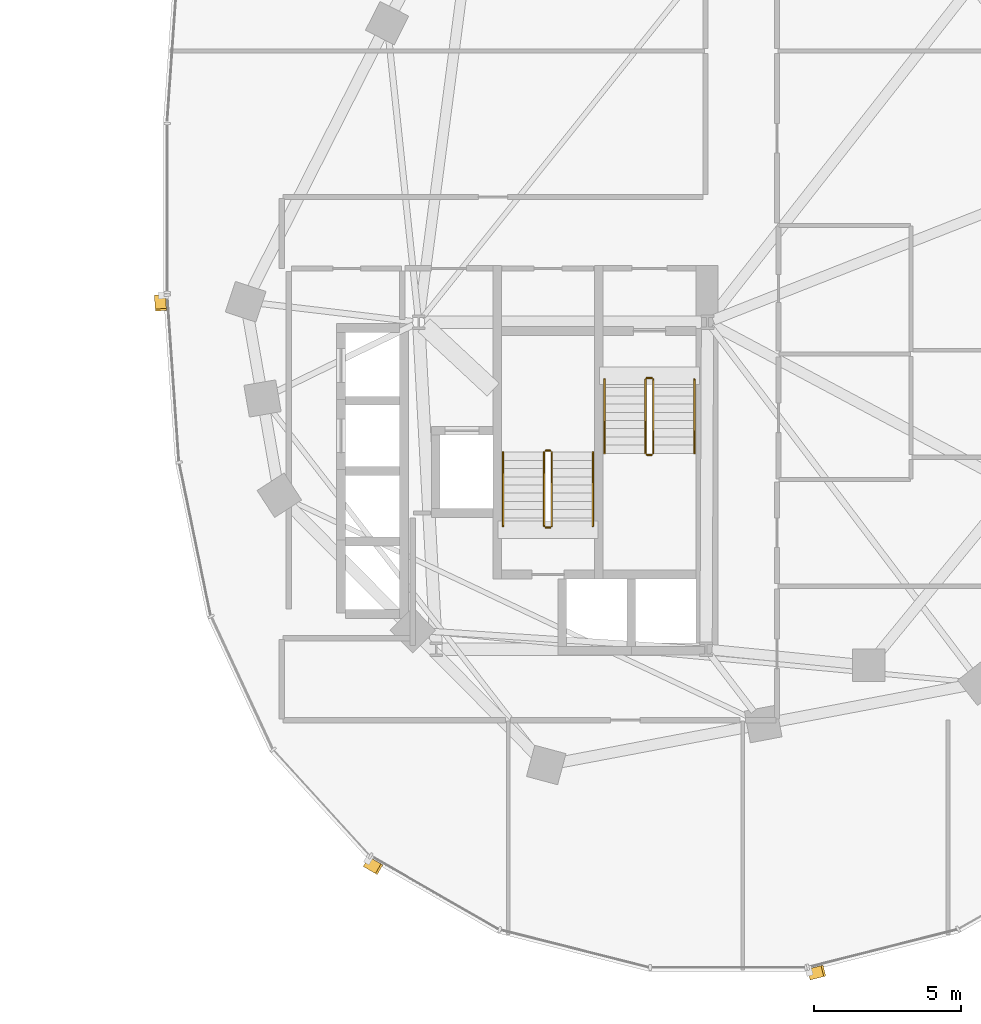
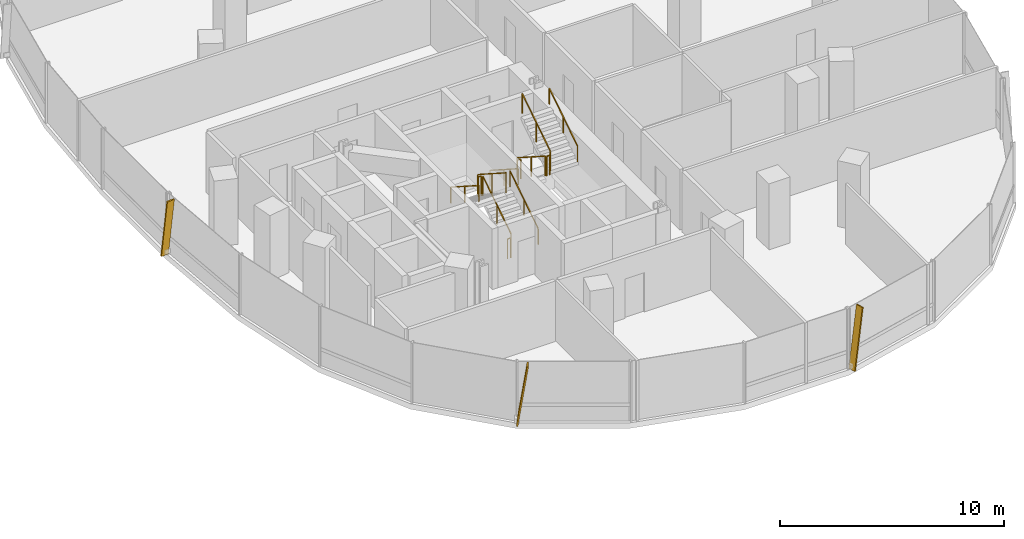
# One storey, part 20 of 21: 12 railings, 3 shading devices.
"""IFC4 building model written with IfcOpenShell, lengths in metres."""

from ifc_helpers import new_model, si_unit, direction, frame, origin, origin_2d, place, context, subcontext, project, spatial, rectangle, extrude, material, material_profile, profile_set, type_object, element, save


model = new_model("IFC4")

# Units and contexts
model_context = context("Model", 3, precision=1e-05, world=origin(), true_north=direction((0.0, 1.0)))
body_context = subcontext(model_context, "Body", "Model", "MODEL_VIEW")
ifc_project = project(units=[si_unit("LENGTHUNIT", "METRE"), si_unit("AREAUNIT", "SQUARE_METRE"), si_unit("VOLUMEUNIT", "CUBIC_METRE"), si_unit("PLANEANGLEUNIT", "RADIAN"), si_unit("MASSUNIT", "GRAM", prefix="KILO"), si_unit("THERMODYNAMICTEMPERATUREUNIT", "KELVIN"), si_unit("POWERUNIT", "WATT")], contexts=[model_context])

# Site, building, storey
site_placement = place(None, origin())
site = spatial("IfcSite", under=ifc_project, at=site_placement, CompositionType="ELEMENT")
building_placement = place(site_placement, origin())
building = spatial("IfcBuilding", under=site, at=building_placement, Name="Cundina Bronze Exchange", CompositionType="ELEMENT")
storey_placement = place(building_placement, frame((0.0, 0.0, 117.800048828125)))
storey = spatial("IfcBuildingStorey", under=building, at=storey_placement, Name="L30", CompositionType="ELEMENT", Elevation=117.800048828125)

# Railings
ifc_material_1 = material(Name="Steel ASTM A36 Painted", Category="steel")
railing_type_1 = type_object("IfcRailingType", Name="RLG-HND-900", PredefinedType="HANDRAIL", material=ifc_material_1)
railing_1_placement = place(storey_placement, frame((27.7900390625, -5.85009765625, 0.179931640625)))
element("IfcRailing", 1, at=railing_1_placement, inside=storey, type_object=railing_type_1, Name="L30 ST-E1 stair handrail 1", PredefinedType="HANDRAIL", context=body_context, shape_type="SweptSolid", body=[
    extrude(rectangle(XDim=0.048095703125, YDim=0.048095703125, at=origin_2d()), frame((0.0, 0.0, 0.8759765625), z_axis=(0.0, -0.841162588446, 0.540782303519), x_axis=(1.0, 0.0, 0.0)), (0.0, 0.0, 1.0), 2.995849609375),
    extrude(rectangle(XDim=0.0419921875, YDim=0.0419921875, at=origin_2d()), origin(), (0.0, 0.0, 1.0), 0.851806640625),
    extrude(rectangle(XDim=0.0419921875, YDim=0.0419921875, at=origin_2d()), frame((0.0, -1.260009765625, 0.81005859375)), (0.0, 0.0, 1.0), 0.851806640625),
    extrude(rectangle(XDim=0.0419921875, YDim=0.0419921875, at=origin_2d()), frame((0.0, -2.52001953125, 1.6201171875)), (0.0, 0.0, 1.0), 0.851806640625),
])
railing_2_placement = place(storey_placement, frame((30.85009765625, -8.3701171875, 1.97998046875)))
element("IfcRailing", 2, at=railing_2_placement, inside=storey, type_object=railing_type_1, Name="L30 ST-E1 stair handrail 2", PredefinedType="HANDRAIL", context=body_context, shape_type="SweptSolid", body=[
    extrude(rectangle(XDim=0.048095703125, YDim=0.048095703125, at=origin_2d()), frame((0.0, 0.0, 0.8759765625), z_axis=(0.0, 0.841199657755, 0.540724639528), x_axis=(-1.0, 0.0, 0.0)), (0.0, 0.0, 1.0), 2.995849609375),
    extrude(rectangle(XDim=0.0419921875, YDim=0.0419921875, at=origin_2d()), origin(), (0.0, 0.0, 1.0), 0.851806640625),
    extrude(rectangle(XDim=0.0419921875, YDim=0.0419921875, at=origin_2d()), frame((0.0, 1.260009765625, 0.81005859375)), (0.0, 0.0, 1.0), 0.851806640625),
    extrude(rectangle(XDim=0.0419921875, YDim=0.0419921875, at=origin_2d()), frame((0.0, 2.52001953125, 1.619873046875)), (0.0, 0.0, 1.0), 0.851806640625),
])
railing_3_placement = place(storey_placement, frame((27.389892578125, -10.85009765625, 0.179931640625)))
element("IfcRailing", 3, at=railing_3_placement, inside=storey, type_object=railing_type_1, Name="L30 ST-E2 stair handrail 1", PredefinedType="HANDRAIL", context=body_context, shape_type="SweptSolid", body=[
    extrude(rectangle(XDim=0.048095703125, YDim=0.048095703125, at=origin_2d()), frame((0.0, 0.0, 0.8759765625), z_axis=(0.0, 0.841162588446, 0.540782303519), x_axis=(-1.0, 0.0, 0.0)), (0.0, 0.0, 1.0), 2.995849609375),
    extrude(rectangle(XDim=0.0419921875, YDim=0.0419921875, at=origin_2d()), origin(), (0.0, 0.0, 1.0), 0.851806640625),
    extrude(rectangle(XDim=0.0419921875, YDim=0.0419921875, at=origin_2d()), frame((0.0, 1.260009765625, 0.81005859375)), (0.0, 0.0, 1.0), 0.851806640625),
    extrude(rectangle(XDim=0.0419921875, YDim=0.0419921875, at=origin_2d()), frame((0.0, 2.52001953125, 1.6201171875)), (0.0, 0.0, 1.0), 0.851806640625),
])
railing_4_placement = place(storey_placement, frame((24.330078125, -8.330078125, 1.97998046875)))
element("IfcRailing", 4, at=railing_4_placement, inside=storey, type_object=railing_type_1, Name="L30 ST-E2 stair handrail 2", PredefinedType="HANDRAIL", context=body_context, shape_type="SweptSolid", body=[
    extrude(rectangle(XDim=0.048095703125, YDim=0.048095703125, at=origin_2d()), frame((0.0, 0.0, 0.8759765625), z_axis=(0.0, -0.841199657755, 0.540724639528), x_axis=(1.0, 0.0, 0.0)), (0.0, 0.0, 1.0), 2.995849609375),
    extrude(rectangle(XDim=0.0419921875, YDim=0.0419921875, at=origin_2d()), origin(), (0.0, 0.0, 1.0), 0.851806640625),
    extrude(rectangle(XDim=0.0419921875, YDim=0.0419921875, at=origin_2d()), frame((0.0, -1.260009765625, 0.81005859375)), (0.0, 0.0, 1.0), 0.851806640625),
    extrude(rectangle(XDim=0.0419921875, YDim=0.0419921875, at=origin_2d()), frame((0.0, -2.52001953125, 1.619873046875)), (0.0, 0.0, 1.0), 0.851806640625),
])
railing_type_2 = type_object("IfcRailingType", Name="RLG-STG-1100", PredefinedType="GUARDRAIL", material=ifc_material_1)
railing_5_placement = place(storey_placement, frame((29.18994140625, -5.85009765625, 0.179931640625)))
element("IfcRailing", 5, at=railing_5_placement, inside=storey, type_object=railing_type_2, Name="L30 ST-E1 stair guard 1", PredefinedType="GUARDRAIL", context=body_context, shape_type="SweptSolid", body=[
    extrude(rectangle(XDim=0.048095703125, YDim=0.048095703125, at=origin_2d()), frame((0.0, 0.0, 1.076171875), z_axis=(0.0, -0.841162588446, 0.540782303519), x_axis=(1.0, 0.0, 0.0)), (0.0, 0.0, 1.0), 2.995849609375),
    extrude(rectangle(XDim=0.0419921875, YDim=0.0419921875, at=origin_2d()), origin(), (0.0, 0.0, 1.0), 1.052001953125),
    extrude(rectangle(XDim=0.0419921875, YDim=0.0419921875, at=origin_2d()), frame((0.0, -1.260009765625, 0.81005859375)), (0.0, 0.0, 1.0), 1.052001953125),
    extrude(rectangle(XDim=0.0419921875, YDim=0.0419921875, at=origin_2d()), frame((0.0, -2.52001953125, 1.6201171875)), (0.0, 0.0, 1.0), 1.052001953125),
])
railing_6_placement = place(storey_placement, frame((29.239990234375, -8.419921875, 1.800048828125)))
element("IfcRailing", 6, at=railing_6_placement, inside=storey, type_object=railing_type_2, Name="L30 ST-E1 stair guard 2", PredefinedType="GUARDRAIL", context=body_context, shape_type="SweptSolid", body=[
    extrude(rectangle(XDim=0.048095703125, YDim=0.048095703125, at=origin_2d()), frame((0.0, 0.0, 1.076171875), z_axis=(1.0, 0.0, 0.0), x_axis=(0.0, 1.0, 0.0)), (0.0, 0.0, 1.0), 0.159912109375),
    extrude(rectangle(XDim=0.0419921875, YDim=0.0419921875, at=origin_2d()), origin(), (0.0, 0.0, 1.0), 1.052001953125),
    extrude(rectangle(XDim=0.0419921875, YDim=0.0419921875, at=origin_2d()), frame((0.159912109375, 0.0, 0.0)), (0.0, 0.0, 1.0), 1.052001953125),
])
railing_7_placement = place(storey_placement, frame((29.449951171875, -8.3701171875, 1.97998046875)))
element("IfcRailing", 7, at=railing_7_placement, inside=storey, type_object=railing_type_2, Name="L30 ST-E1 stair guard 3", PredefinedType="GUARDRAIL", context=body_context, shape_type="SweptSolid", body=[
    extrude(rectangle(XDim=0.048095703125, YDim=0.048095703125, at=origin_2d()), frame((0.0, 0.0, 1.076171875), z_axis=(0.0, 0.841199657755, 0.540724639528), x_axis=(-1.0, 0.0, 0.0)), (0.0, 0.0, 1.0), 2.995849609375),
    extrude(rectangle(XDim=0.0419921875, YDim=0.0419921875, at=origin_2d()), origin(), (0.0, 0.0, 1.0), 1.052001953125),
    extrude(rectangle(XDim=0.0419921875, YDim=0.0419921875, at=origin_2d()), frame((0.0, 1.260009765625, 0.81005859375)), (0.0, 0.0, 1.0), 1.052001953125),
    extrude(rectangle(XDim=0.0419921875, YDim=0.0419921875, at=origin_2d()), frame((0.0, 2.52001953125, 1.619873046875)), (0.0, 0.0, 1.0), 1.052001953125),
])
railing_8_placement = place(storey_placement, frame((29.239990234375, -5.800048828125, 0.0)))
element("IfcRailing", 8, at=railing_8_placement, inside=storey, type_object=railing_type_2, Name="L30 ST-E1 stair guard 4", PredefinedType="GUARDRAIL", context=body_context, shape_type="SweptSolid", body=[
    extrude(rectangle(XDim=0.048095703125, YDim=0.048095703125, at=origin_2d()), frame((0.0, 0.0, 1.076171875), z_axis=(1.0, 0.0, 0.0), x_axis=(0.0, 1.0, 0.0)), (0.0, 0.0, 1.0), 0.159912109375),
    extrude(rectangle(XDim=0.0419921875, YDim=0.0419921875, at=origin_2d()), origin(), (0.0, 0.0, 1.0), 1.052001953125),
    extrude(rectangle(XDim=0.0419921875, YDim=0.0419921875, at=origin_2d()), frame((0.159912109375, 0.0, 0.0)), (0.0, 0.0, 1.0), 1.052001953125),
])
railing_9_placement = place(storey_placement, frame((25.989990234375, -10.85009765625, 0.179931640625)))
element("IfcRailing", 9, at=railing_9_placement, inside=storey, type_object=railing_type_2, Name="L30 ST-E2 stair guard 1", PredefinedType="GUARDRAIL", context=body_context, shape_type="SweptSolid", body=[
    extrude(rectangle(XDim=0.048095703125, YDim=0.048095703125, at=origin_2d()), frame((0.0, 0.0, 1.076171875), z_axis=(0.0, 0.841162588446, 0.540782303519), x_axis=(-1.0, 0.0, 0.0)), (0.0, 0.0, 1.0), 2.995849609375),
    extrude(rectangle(XDim=0.0419921875, YDim=0.0419921875, at=origin_2d()), origin(), (0.0, 0.0, 1.0), 1.052001953125),
    extrude(rectangle(XDim=0.0419921875, YDim=0.0419921875, at=origin_2d()), frame((0.0, 1.260009765625, 0.81005859375)), (0.0, 0.0, 1.0), 1.052001953125),
    extrude(rectangle(XDim=0.0419921875, YDim=0.0419921875, at=origin_2d()), frame((0.0, 2.52001953125, 1.6201171875)), (0.0, 0.0, 1.0), 1.052001953125),
])
railing_10_placement = place(storey_placement, frame((25.93994140625, -8.280029296875, 1.800048828125)))
element("IfcRailing", 10, at=railing_10_placement, inside=storey, type_object=railing_type_2, Name="L30 ST-E2 stair guard 2", PredefinedType="GUARDRAIL", context=body_context, shape_type="SweptSolid", body=[
    extrude(rectangle(XDim=0.048095703125, YDim=0.048095703125, at=origin_2d()), frame((0.0, 0.0, 1.076171875), z_axis=(-1.0, 0.0, 0.0), x_axis=(0.0, -1.0, 0.0)), (0.0, 0.0, 1.0), 0.159912109375),
    extrude(rectangle(XDim=0.0419921875, YDim=0.0419921875, at=origin_2d()), origin(), (0.0, 0.0, 1.0), 1.052001953125),
    extrude(rectangle(XDim=0.0419921875, YDim=0.0419921875, at=origin_2d()), frame((-0.159912109375, 0.0, 0.0)), (0.0, 0.0, 1.0), 1.052001953125),
])
railing_11_placement = place(storey_placement, frame((25.72998046875, -8.330078125, 1.97998046875)))
element("IfcRailing", 11, at=railing_11_placement, inside=storey, type_object=railing_type_2, Name="L30 ST-E2 stair guard 3", PredefinedType="GUARDRAIL", context=body_context, shape_type="SweptSolid", body=[
    extrude(rectangle(XDim=0.048095703125, YDim=0.048095703125, at=origin_2d()), frame((0.0, 0.0, 1.076171875), z_axis=(0.0, -0.841199657755, 0.540724639528), x_axis=(1.0, 0.0, 0.0)), (0.0, 0.0, 1.0), 2.995849609375),
    extrude(rectangle(XDim=0.0419921875, YDim=0.0419921875, at=origin_2d()), origin(), (0.0, 0.0, 1.0), 1.052001953125),
    extrude(rectangle(XDim=0.0419921875, YDim=0.0419921875, at=origin_2d()), frame((0.0, -1.260009765625, 0.81005859375)), (0.0, 0.0, 1.0), 1.052001953125),
    extrude(rectangle(XDim=0.0419921875, YDim=0.0419921875, at=origin_2d()), frame((0.0, -2.52001953125, 1.619873046875)), (0.0, 0.0, 1.0), 1.052001953125),
])
railing_12_placement = place(storey_placement, frame((25.93994140625, -10.89990234375, 0.0)))
element("IfcRailing", 12, at=railing_12_placement, inside=storey, type_object=railing_type_2, Name="L30 ST-E2 stair guard 4", PredefinedType="GUARDRAIL", context=body_context, shape_type="SweptSolid", body=[
    extrude(rectangle(XDim=0.048095703125, YDim=0.048095703125, at=origin_2d()), frame((0.0, 0.0, 1.076171875), z_axis=(-1.0, 0.0, 0.0), x_axis=(0.0, -1.0, 0.0)), (0.0, 0.0, 1.0), 0.159912109375),
    extrude(rectangle(XDim=0.0419921875, YDim=0.0419921875, at=origin_2d()), origin(), (0.0, 0.0, 1.0), 1.052001953125),
    extrude(rectangle(XDim=0.0419921875, YDim=0.0419921875, at=origin_2d()), frame((-0.159912109375, 0.0, 0.0)), (0.0, 0.0, 1.0), 1.052001953125),
])

# Shading devices
ifc_material_2 = material(Name="Anodised Bronze Aluminium 6063-T6", Category="aluminium")
ifc_material_profile = material_profile(ifc_material_2, rectangle(XDim=0.070068359375, YDim=0.3798828125, at=origin_2d()), Name="FIN70X380", Category="aluminium")
ifc_profile_set = profile_set([ifc_material_profile], Name="Anodised Bronze Aluminium 6063-T6")
shading_device_type = type_object("IfcShadingDeviceType", Name="SHD-FIN-BRZ380", PredefinedType="USERDEFINED", material=ifc_profile_set)
for number, where, z_axis, x_axis, name in (
    (13, (12.6259765625, -2.993896484375, 0.02001953125), (0.010224545828, -0.145292278041, 0.989335945271), (-0.069450050635, 0.986895284755, 0.145651595925), "L30 Diagonal Bronze Solar Fin 1"),
    (14, (19.685791015625, -22.314208984375, 0.02001953125), (0.126324692219, -0.072534823274, 0.989333498649), (-0.857958278167, 0.492634108109, 0.145668213594), "L30 Diagonal Bronze Solar Fin 5"),
    (15, (34.787353515625, -26.138427734375, 0.02001953125), (0.141217047268, 0.035711761166, 0.989334329575), (-0.95914051701, -0.242552848478, 0.145662570088), "L30 Diagonal Bronze Solar Fin 1"),
):
    element("IfcShadingDevice", number, at=place(storey_placement, frame(where, z_axis=z_axis, x_axis=x_axis)), inside=storey, type_object=shading_device_type, Name=name, ObjectType="FIN", PredefinedType="USERDEFINED", context=body_context, shape_type="SweptSolid", body=[
        extrude(rectangle(XDim=0.070068359375, YDim=0.3798828125, at=origin_2d()), origin(), (0.0, 0.0, 1.0), 3.295166015625),
    ])

save(model, "model.ifc")
